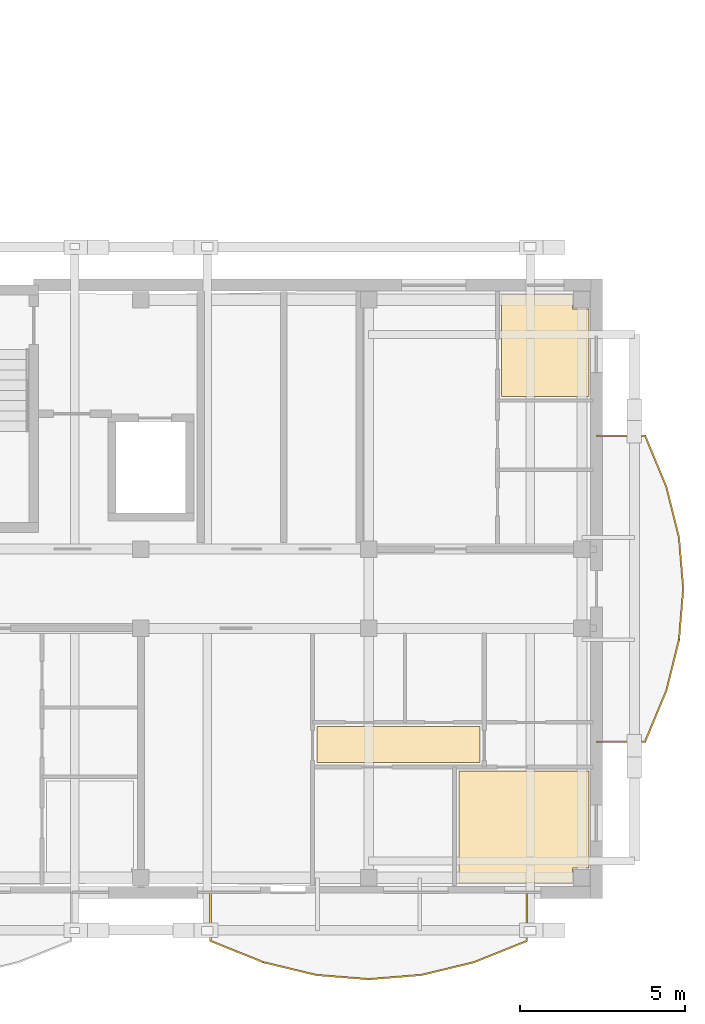
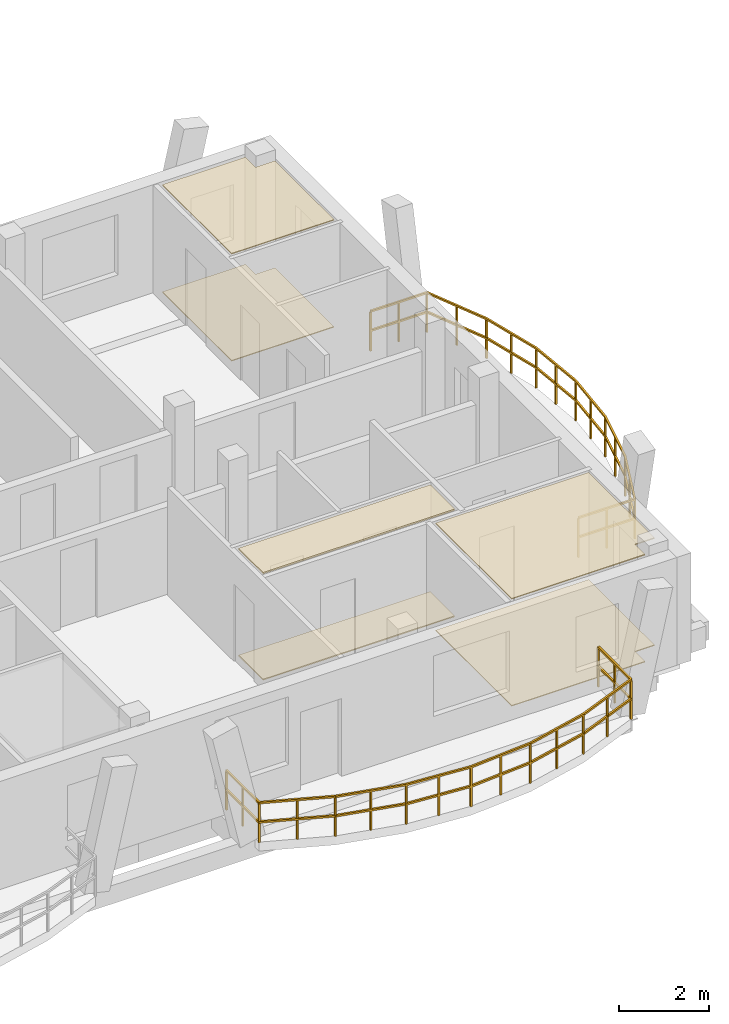
# One storey, part 48 of 50: 6 coverings, 2 railings.
"""IFC4 building model written with IfcOpenShell, lengths in metres."""

from ifc_helpers import new_model, si_unit, direction, frame, origin, origin_2d, place, context, subcontext, project, spatial, polyline, rectangle, outline, extrude, material, layer, layer_set, type_object, element, save


model = new_model("IFC4")

# Units and contexts
model_context = context("Model", 3, precision=1e-05, world=origin(), true_north=direction((0.0, 1.0)))
body_context = subcontext(model_context, "Body", "Model", "MODEL_VIEW")
ifc_project = project(units=[si_unit("LENGTHUNIT", "METRE"), si_unit("AREAUNIT", "SQUARE_METRE"), si_unit("VOLUMEUNIT", "CUBIC_METRE"), si_unit("PLANEANGLEUNIT", "RADIAN"), si_unit("MASSUNIT", "GRAM", prefix="KILO")], contexts=[model_context])

# Site, building, storey
site_placement = place(None, origin())
site = spatial("IfcSite", under=ifc_project, at=site_placement, CompositionType="ELEMENT")
building_placement = place(site_placement, origin())
building = spatial("IfcBuilding", under=site, at=building_placement, Name="Zavelmont Quarter", CompositionType="ELEMENT")
storey_placement = place(building_placement, frame((0.0, 0.0, 11.199951171875)))
storey = spatial("IfcBuildingStorey", under=building, at=storey_placement, Name="L03", CompositionType="ELEMENT", Elevation=11.199951171875)

# Coverings
ifc_material_1 = material(Name="Perforated acoustic gypsum board")
ifc_layer_1 = layer(ifc_material_1, 0.02490234375)
ifc_layer_set_1 = layer_set([ifc_layer_1], Name="Perforated acoustic gypsum board")
covering_type_1 = type_object("IfcCoveringType", Name="CV-CL01", PredefinedType="CEILING", material=ifc_layer_set_1)
covering_1_placement = place(storey_placement, frame((0.0, 0.0, 2.9150390625)))
element("IfcCovering", 1, at=covering_1_placement, inside=storey, type_object=covering_type_1, Name="L03 Double Bedroom acoustic ceiling", PredefinedType="CEILING", context=body_context, shape_type="SweptSolid", body=[
    extrude(outline(polyline([(163.830078125, 3.669921875), (167.77001953125, 3.669921875), (167.77001953125, 0.72998046875), (167.27001953125, 0.72998046875), (167.27001953125, 0.280029296875), (163.830078125, 0.280029296875), (163.830078125, 3.669921875)])), origin(), (0.0, 0.0, 1.0), 0.02490234375),
])
covering_2_placement = place(storey_placement, frame((0.0, 0.0, 2.9150390625)))
element("IfcCovering", 2, at=covering_2_placement, inside=storey, type_object=covering_type_1, Name="L03 Single Bedroom acoustic ceiling", PredefinedType="CEILING", context=body_context, shape_type="SweptSolid", body=[
    extrude(outline(polyline([(165.1298828125, 18.1201171875), (167.27001953125, 18.1201171875), (167.27001953125, 17.669921875), (167.77001953125, 17.669921875), (167.77001953125, 15.030029296875), (165.1298828125, 15.030029296875), (165.1298828125, 18.1201171875)])), origin(), (0.0, 0.0, 1.0), 0.02490234375),
])
ifc_material_2 = material(Name="Slatted European ash acoustic baffle ceiling")
ifc_layer_2 = layer(ifc_material_2, 0.0400390625)
ifc_layer_set_2 = layer_set([ifc_layer_2], Name="Slatted European ash acoustic baffle ceiling")
covering_type_2 = type_object("IfcCoveringType", Name="CV-CL02", PredefinedType="CEILING", material=ifc_layer_set_2)
covering_3_placement = place(storey_placement, frame((0.0, 0.0, 2.900146484375)))
element("IfcCovering", 3, at=covering_3_placement, inside=storey, type_object=covering_type_2, Name="L03 Apartment Hall acoustic ceiling", PredefinedType="CEILING", context=body_context, shape_type="SweptSolid", body=[
    extrude(outline(polyline([(159.530029296875, 5.02001953125), (164.469970703125, 5.02001953125), (164.469970703125, 3.929931640625), (159.530029296875, 3.929931640625), (159.530029296875, 5.02001953125)])), origin(), (0.0, 0.0, 1.0), 0.039794921875),
])
ifc_material_3 = material(Name="Engineered European oak parquet")
ifc_layer_3 = layer(ifc_material_3, 0.02197265625)
ifc_layer_set_3 = layer_set([ifc_layer_3], Name="Engineered European oak parquet")
covering_type_3 = type_object("IfcCoveringType", Name="CV-FL01", PredefinedType="FLOORING", material=ifc_layer_set_3)
covering_4_placement = place(storey_placement, origin())
element("IfcCovering", 4, at=covering_4_placement, inside=storey, type_object=covering_type_3, Name="L03 Double Bedroom floor finish", PredefinedType="FLOORING", context=body_context, shape_type="SweptSolid", body=[
    extrude(outline(polyline([(163.830078125, 3.669921875), (167.77001953125, 3.669921875), (167.77001953125, 0.72998046875), (167.27001953125, 0.72998046875), (167.27001953125, 0.280029296875), (163.830078125, 0.280029296875), (163.830078125, 3.669921875)])), origin(), (0.0, 0.0, 1.0), 0.02197265625),
])
covering_5_placement = place(storey_placement, origin())
element("IfcCovering", 5, at=covering_5_placement, inside=storey, type_object=covering_type_3, Name="L03 Single Bedroom floor finish", PredefinedType="FLOORING", context=body_context, shape_type="SweptSolid", body=[
    extrude(outline(polyline([(165.1298828125, 18.1201171875), (167.27001953125, 18.1201171875), (167.27001953125, 17.669921875), (167.77001953125, 17.669921875), (167.77001953125, 15.030029296875), (165.1298828125, 15.030029296875), (165.1298828125, 18.1201171875)])), origin(), (0.0, 0.0, 1.0), 0.02197265625),
])
ifc_material_4 = material(Name="Honed Belgian bluestone tile", Category="masonry")
ifc_layer_4 = layer(ifc_material_4, 0.030029296875)
ifc_layer_set_4 = layer_set([ifc_layer_4], Name="Honed Belgian bluestone tile")
covering_type_4 = type_object("IfcCoveringType", Name="CV-FL02", PredefinedType="FLOORING", material=ifc_layer_set_4)
covering_6_placement = place(storey_placement, origin())
element("IfcCovering", 6, at=covering_6_placement, inside=storey, type_object=covering_type_4, Name="L03 Apartment Hall floor finish", PredefinedType="FLOORING", context=body_context, shape_type="SweptSolid", body=[
    extrude(outline(polyline([(159.530029296875, 5.02001953125), (164.469970703125, 5.02001953125), (164.469970703125, 3.929931640625), (159.530029296875, 3.929931640625), (159.530029296875, 5.02001953125)])), origin(), (0.0, 0.0, 1.0), 0.030029296875),
])

# Railings
ifc_material_5 = material(Name="Powder-coated steel and tempered double safety glass", Category="steel")
railing_type = type_object("IfcRailingType", Name="RL-BAL1", PredefinedType="BALUSTRADE", material=ifc_material_5)
railing_1_placement = place(storey_placement, frame((156.3076171875, -0.02001953125, 0.0)))
element("IfcRailing", 7, at=railing_1_placement, inside=storey, type_object=railing_type, Name="L03 Block D curved balcony guard RL-BAL1", PredefinedType="BALUSTRADE", context=body_context, shape_type="SweptSolid", body=[
    extrude(rectangle(XDim=0.048095703125, YDim=0.048095703125, at=origin_2d()), frame((0.0, 0.0, 1.076171875), z_axis=(0.0, -1.0, 0.0), x_axis=(1.0, 0.0, 0.0)), (0.0, 0.0, 1.0), 1.453857421875),
    extrude(rectangle(XDim=0.048095703125, YDim=0.048095703125, at=origin_2d()), frame((0.0, 0.0, 0.550048828125), z_axis=(0.0, -1.0, 0.0), x_axis=(1.0, 0.0, 0.0)), (0.0, 0.0, 1.0), 1.453857421875),
    extrude(rectangle(XDim=0.048095703125, YDim=0.048095703125, at=origin_2d()), frame((0.0, -1.453857421875, 1.076171875), z_axis=(0.927603965163, -0.373565099833, 0.0), x_axis=(0.373565099833, 0.927603965163, 0.0)), (0.0, 0.0, 1.0), 1.72216796875),
    extrude(rectangle(XDim=0.048095703125, YDim=0.048095703125, at=origin_2d()), frame((0.0, -1.453857421875, 0.550048828125), z_axis=(0.927603965163, -0.373565099833, 0.0), x_axis=(0.373565099833, 0.927603965163, 0.0)), (0.0, 0.0, 1.0), 1.72216796875),
    extrude(rectangle(XDim=0.048095703125, YDim=0.048095703125, at=origin_2d()), frame((1.597412109375, -2.09716796875, 1.076171875), z_axis=(0.972000372905, -0.234979307753, 0.0), x_axis=(0.234979307753, 0.972000372905, 0.0)), (0.0, 0.0, 1.0), 1.643798828125),
    extrude(rectangle(XDim=0.048095703125, YDim=0.048095703125, at=origin_2d()), frame((1.597412109375, -2.09716796875, 0.550048828125), z_axis=(0.972000372905, -0.234979307753, 0.0), x_axis=(0.234979307753, 0.972000372905, 0.0)), (0.0, 0.0, 1.0), 1.643798828125),
    extrude(rectangle(XDim=0.048095703125, YDim=0.048095703125, at=origin_2d()), frame((3.195068359375, -2.4833984375, 1.076171875), z_axis=(0.996772021854, -0.080284098352, 0.0), x_axis=(0.080284098352, 0.996772021854, 0.0)), (0.0, 0.0, 1.0), 1.6025390625),
    extrude(rectangle(XDim=0.048095703125, YDim=0.048095703125, at=origin_2d()), frame((3.195068359375, -2.4833984375, 0.550048828125), z_axis=(0.996772021854, -0.080284098352, 0.0), x_axis=(0.080284098352, 0.996772021854, 0.0)), (0.0, 0.0, 1.0), 1.6025390625),
    extrude(rectangle(XDim=0.048095703125, YDim=0.048095703125, at=origin_2d()), frame((4.79248046875, -2.612060546875, 1.076171875), z_axis=(0.996772021854, 0.080284098352, 0.0), x_axis=(-0.080284098352, 0.996772021854, 0.0)), (0.0, 0.0, 1.0), 1.6025390625),
    extrude(rectangle(XDim=0.048095703125, YDim=0.048095703125, at=origin_2d()), frame((4.79248046875, -2.612060546875, 0.550048828125), z_axis=(0.996772021854, 0.080284098352, 0.0), x_axis=(-0.080284098352, 0.996772021854, 0.0)), (0.0, 0.0, 1.0), 1.6025390625),
    extrude(rectangle(XDim=0.048095703125, YDim=0.048095703125, at=origin_2d()), frame((6.389892578125, -2.4833984375, 1.076171875), z_axis=(0.971992169835, 0.235013237457, 0.0), x_axis=(-0.235013237457, 0.971992169835, 0.0)), (0.0, 0.0, 1.0), 1.6435546875),
    extrude(rectangle(XDim=0.048095703125, YDim=0.048095703125, at=origin_2d()), frame((6.389892578125, -2.4833984375, 0.550048828125), z_axis=(0.971992169835, 0.235013237457, 0.0), x_axis=(-0.235013237457, 0.971992169835, 0.0)), (0.0, 0.0, 1.0), 1.6435546875),
    extrude(rectangle(XDim=0.048095703125, YDim=0.048095703125, at=origin_2d()), frame((7.9873046875, -2.09716796875, 1.076171875), z_axis=(0.927603965163, 0.373565099833, 0.0), x_axis=(-0.373565099833, 0.927603965163, 0.0)), (0.0, 0.0, 1.0), 1.72216796875),
    extrude(rectangle(XDim=0.048095703125, YDim=0.048095703125, at=origin_2d()), frame((7.9873046875, -2.09716796875, 0.550048828125), z_axis=(0.927603965163, 0.373565099833, 0.0), x_axis=(-0.373565099833, 0.927603965163, 0.0)), (0.0, 0.0, 1.0), 1.72216796875),
    extrude(rectangle(XDim=0.048095703125, YDim=0.048095703125, at=origin_2d()), frame((9.584716796875, -1.453857421875, 1.076171875), z_axis=(0.0, 1.0, 0.0), x_axis=(-1.0, 0.0, 0.0)), (0.0, 0.0, 1.0), 1.453857421875),
    extrude(rectangle(XDim=0.048095703125, YDim=0.048095703125, at=origin_2d()), frame((9.584716796875, -1.453857421875, 0.550048828125), z_axis=(0.0, 1.0, 0.0), x_axis=(-1.0, 0.0, 0.0)), (0.0, 0.0, 1.0), 1.453857421875),
    extrude(rectangle(XDim=0.0419921875, YDim=0.0419921875, at=origin_2d()), origin(), (0.0, 0.0, 1.0), 1.052001953125),
    extrude(rectangle(XDim=0.0419921875, YDim=0.0419921875, at=origin_2d()), frame((0.0, -0.72705078125, 0.0)), (0.0, 0.0, 1.0), 1.052001953125),
    extrude(rectangle(XDim=0.0419921875, YDim=0.0419921875, at=origin_2d()), frame((0.0, -1.453857421875, 0.0)), (0.0, 0.0, 1.0), 1.052001953125),
    extrude(rectangle(XDim=0.0419921875, YDim=0.0419921875, at=origin_2d()), frame((0.798828125, -1.775390625, 0.0)), (0.0, 0.0, 1.0), 1.052001953125),
    extrude(rectangle(XDim=0.0419921875, YDim=0.0419921875, at=origin_2d()), frame((1.597412109375, -2.09716796875, 0.0)), (0.0, 0.0, 1.0), 1.052001953125),
    extrude(rectangle(XDim=0.0419921875, YDim=0.0419921875, at=origin_2d()), frame((2.396240234375, -2.290283203125, 0.0)), (0.0, 0.0, 1.0), 1.052001953125),
    extrude(rectangle(XDim=0.0419921875, YDim=0.0419921875, at=origin_2d()), frame((3.195068359375, -2.4833984375, 0.0)), (0.0, 0.0, 1.0), 1.052001953125),
    extrude(rectangle(XDim=0.0419921875, YDim=0.0419921875, at=origin_2d()), frame((3.99365234375, -2.5478515625, 0.0)), (0.0, 0.0, 1.0), 1.052001953125),
    extrude(rectangle(XDim=0.0419921875, YDim=0.0419921875, at=origin_2d()), frame((4.79248046875, -2.612060546875, 0.0)), (0.0, 0.0, 1.0), 1.052001953125),
    extrude(rectangle(XDim=0.0419921875, YDim=0.0419921875, at=origin_2d()), frame((5.59130859375, -2.5478515625, 0.0)), (0.0, 0.0, 1.0), 1.052001953125),
    extrude(rectangle(XDim=0.0419921875, YDim=0.0419921875, at=origin_2d()), frame((6.389892578125, -2.4833984375, 0.0)), (0.0, 0.0, 1.0), 1.052001953125),
    extrude(rectangle(XDim=0.0419921875, YDim=0.0419921875, at=origin_2d()), frame((7.1884765625, -2.290283203125, 0.0)), (0.0, 0.0, 1.0), 1.052001953125),
    extrude(rectangle(XDim=0.0419921875, YDim=0.0419921875, at=origin_2d()), frame((7.9873046875, -2.09716796875, 0.0)), (0.0, 0.0, 1.0), 1.052001953125),
    extrude(rectangle(XDim=0.0419921875, YDim=0.0419921875, at=origin_2d()), frame((8.7861328125, -1.775390625, 0.0)), (0.0, 0.0, 1.0), 1.052001953125),
    extrude(rectangle(XDim=0.0419921875, YDim=0.0419921875, at=origin_2d()), frame((9.584716796875, -1.453857421875, 0.0)), (0.0, 0.0, 1.0), 1.052001953125),
    extrude(rectangle(XDim=0.0419921875, YDim=0.0419921875, at=origin_2d()), frame((9.584716796875, -0.72705078125, 0.0)), (0.0, 0.0, 1.0), 1.052001953125),
    extrude(rectangle(XDim=0.0419921875, YDim=0.0419921875, at=origin_2d()), frame((9.584716796875, 0.0, 0.0)), (0.0, 0.0, 1.0), 1.052001953125),
])
railing_2_placement = place(storey_placement, frame((168.02001953125, 4.561279296875, 0.0)))
element("IfcRailing", 8, at=railing_2_placement, inside=storey, type_object=railing_type, Name="L03 Block D curved balcony guard RL-BAL1", PredefinedType="BALUSTRADE", context=body_context, shape_type="SweptSolid", body=[
    extrude(rectangle(XDim=0.048095703125, YDim=0.048095703125, at=origin_2d()), frame((0.0, 0.0, 1.076171875), z_axis=(1.0, 0.0, 0.0), x_axis=(0.0, 1.0, 0.0)), (0.0, 0.0, 1.0), 1.453857421875),
    extrude(rectangle(XDim=0.048095703125, YDim=0.048095703125, at=origin_2d()), frame((0.0, 0.0, 0.550048828125), z_axis=(1.0, 0.0, 0.0), x_axis=(0.0, 1.0, 0.0)), (0.0, 0.0, 1.0), 1.453857421875),
    extrude(rectangle(XDim=0.048095703125, YDim=0.048095703125, at=origin_2d()), frame((1.453857421875, 0.0, 1.076171875), z_axis=(0.384149506433, 0.92327090104, 0.0), x_axis=(-0.92327090104, 0.384149506433, 0.0)), (0.0, 0.0, 1.0), 1.674560546875),
    extrude(rectangle(XDim=0.048095703125, YDim=0.048095703125, at=origin_2d()), frame((1.453857421875, 0.0, 0.550048828125), z_axis=(0.384149506433, 0.92327090104, 0.0), x_axis=(-0.92327090104, 0.384149506433, 0.0)), (0.0, 0.0, 1.0), 1.674560546875),
    extrude(rectangle(XDim=0.048095703125, YDim=0.048095703125, at=origin_2d()), frame((2.09716796875, 1.546142578125, 1.076171875), z_axis=(0.242319375053, 0.970196537034, 0.0), x_axis=(-0.970196537034, 0.242319375053, 0.0)), (0.0, 0.0, 1.0), 1.593994140625),
    extrude(rectangle(XDim=0.048095703125, YDim=0.048095703125, at=origin_2d()), frame((2.09716796875, 1.546142578125, 0.550048828125), z_axis=(0.242319375053, 0.970196537034, 0.0), x_axis=(-0.970196537034, 0.242319375053, 0.0)), (0.0, 0.0, 1.0), 1.593994140625),
    extrude(rectangle(XDim=0.048095703125, YDim=0.048095703125, at=origin_2d()), frame((2.4833984375, 3.092529296875, 1.076171875), z_axis=(0.082928273841, 0.996555518472, 0.0), x_axis=(-0.996555518472, 0.082928273841, 0.0)), (0.0, 0.0, 1.0), 1.551513671875),
    extrude(rectangle(XDim=0.048095703125, YDim=0.048095703125, at=origin_2d()), frame((2.4833984375, 3.092529296875, 0.550048828125), z_axis=(0.082928273841, 0.996555518472, 0.0), x_axis=(-0.996555518472, 0.082928273841, 0.0)), (0.0, 0.0, 1.0), 1.551513671875),
    extrude(rectangle(XDim=0.048095703125, YDim=0.048095703125, at=origin_2d()), frame((2.612060546875, 4.638671875, 1.076171875), z_axis=(-0.082915271299, 0.996556600392, 0.0), x_axis=(-0.996556600392, -0.082915271299, 0.0)), (0.0, 0.0, 1.0), 1.5517578125),
    extrude(rectangle(XDim=0.048095703125, YDim=0.048095703125, at=origin_2d()), frame((2.612060546875, 4.638671875, 0.550048828125), z_axis=(-0.082915271299, 0.996556600392, 0.0), x_axis=(-0.996556600392, -0.082915271299, 0.0)), (0.0, 0.0, 1.0), 1.5517578125),
    extrude(rectangle(XDim=0.048095703125, YDim=0.048095703125, at=origin_2d()), frame((2.4833984375, 6.18505859375, 1.076171875), z_axis=(-0.242355390769, 0.970187540924, 0.0), x_axis=(-0.970187540924, -0.242355390769, 0.0)), (0.0, 0.0, 1.0), 1.59375),
    extrude(rectangle(XDim=0.048095703125, YDim=0.048095703125, at=origin_2d()), frame((2.4833984375, 6.18505859375, 0.550048828125), z_axis=(-0.242355390769, 0.970187540924, 0.0), x_axis=(-0.970187540924, -0.242355390769, 0.0)), (0.0, 0.0, 1.0), 1.59375),
    extrude(rectangle(XDim=0.048095703125, YDim=0.048095703125, at=origin_2d()), frame((2.09716796875, 7.731201171875, 1.076171875), z_axis=(-0.38409780582, 0.92329241065, 0.0), x_axis=(-0.92329241065, -0.38409780582, 0.0)), (0.0, 0.0, 1.0), 1.6748046875),
    extrude(rectangle(XDim=0.048095703125, YDim=0.048095703125, at=origin_2d()), frame((2.09716796875, 7.731201171875, 0.550048828125), z_axis=(-0.38409780582, 0.92329241065, 0.0), x_axis=(-0.92329241065, -0.38409780582, 0.0)), (0.0, 0.0, 1.0), 1.6748046875),
    extrude(rectangle(XDim=0.048095703125, YDim=0.048095703125, at=origin_2d()), frame((1.453857421875, 9.277587890625, 1.076171875), z_axis=(-1.0, 0.0, 0.0), x_axis=(0.0, -1.0, 0.0)), (0.0, 0.0, 1.0), 1.453857421875),
    extrude(rectangle(XDim=0.048095703125, YDim=0.048095703125, at=origin_2d()), frame((1.453857421875, 9.277587890625, 0.550048828125), z_axis=(-1.0, 0.0, 0.0), x_axis=(0.0, -1.0, 0.0)), (0.0, 0.0, 1.0), 1.453857421875),
    extrude(rectangle(XDim=0.0419921875, YDim=0.0419921875, at=origin_2d()), origin(), (0.0, 0.0, 1.0), 1.052001953125),
    extrude(rectangle(XDim=0.0419921875, YDim=0.0419921875, at=origin_2d()), frame((0.72705078125, 0.0, 0.0)), (0.0, 0.0, 1.0), 1.052001953125),
    extrude(rectangle(XDim=0.0419921875, YDim=0.0419921875, at=origin_2d()), frame((1.453857421875, 0.0, 0.0)), (0.0, 0.0, 1.0), 1.052001953125),
    extrude(rectangle(XDim=0.0419921875, YDim=0.0419921875, at=origin_2d()), frame((1.775390625, 0.77294921875, 0.0)), (0.0, 0.0, 1.0), 1.052001953125),
    extrude(rectangle(XDim=0.0419921875, YDim=0.0419921875, at=origin_2d()), frame((2.09716796875, 1.546142578125, 0.0)), (0.0, 0.0, 1.0), 1.052001953125),
    extrude(rectangle(XDim=0.0419921875, YDim=0.0419921875, at=origin_2d()), frame((2.290283203125, 2.3193359375, 0.0)), (0.0, 0.0, 1.0), 1.052001953125),
    extrude(rectangle(XDim=0.0419921875, YDim=0.0419921875, at=origin_2d()), frame((2.4833984375, 3.092529296875, 0.0)), (0.0, 0.0, 1.0), 1.052001953125),
    extrude(rectangle(XDim=0.0419921875, YDim=0.0419921875, at=origin_2d()), frame((2.5478515625, 3.86572265625, 0.0)), (0.0, 0.0, 1.0), 1.052001953125),
    extrude(rectangle(XDim=0.0419921875, YDim=0.0419921875, at=origin_2d()), frame((2.612060546875, 4.638671875, 0.0)), (0.0, 0.0, 1.0), 1.052001953125),
    extrude(rectangle(XDim=0.0419921875, YDim=0.0419921875, at=origin_2d()), frame((2.5478515625, 5.411865234375, 0.0)), (0.0, 0.0, 1.0), 1.052001953125),
    extrude(rectangle(XDim=0.0419921875, YDim=0.0419921875, at=origin_2d()), frame((2.4833984375, 6.18505859375, 0.0)), (0.0, 0.0, 1.0), 1.052001953125),
    extrude(rectangle(XDim=0.0419921875, YDim=0.0419921875, at=origin_2d()), frame((2.290283203125, 6.9580078125, 0.0)), (0.0, 0.0, 1.0), 1.052001953125),
    extrude(rectangle(XDim=0.0419921875, YDim=0.0419921875, at=origin_2d()), frame((2.09716796875, 7.731201171875, 0.0)), (0.0, 0.0, 1.0), 1.052001953125),
    extrude(rectangle(XDim=0.0419921875, YDim=0.0419921875, at=origin_2d()), frame((1.775390625, 8.50439453125, 0.0)), (0.0, 0.0, 1.0), 1.052001953125),
    extrude(rectangle(XDim=0.0419921875, YDim=0.0419921875, at=origin_2d()), frame((1.453857421875, 9.277587890625, 0.0)), (0.0, 0.0, 1.0), 1.052001953125),
    extrude(rectangle(XDim=0.0419921875, YDim=0.0419921875, at=origin_2d()), frame((0.72705078125, 9.277587890625, 0.0)), (0.0, 0.0, 1.0), 1.052001953125),
    extrude(rectangle(XDim=0.0419921875, YDim=0.0419921875, at=origin_2d()), frame((0.0, 9.277587890625, 0.0)), (0.0, 0.0, 1.0), 1.052001953125),
])

save(model, "model.ifc")
